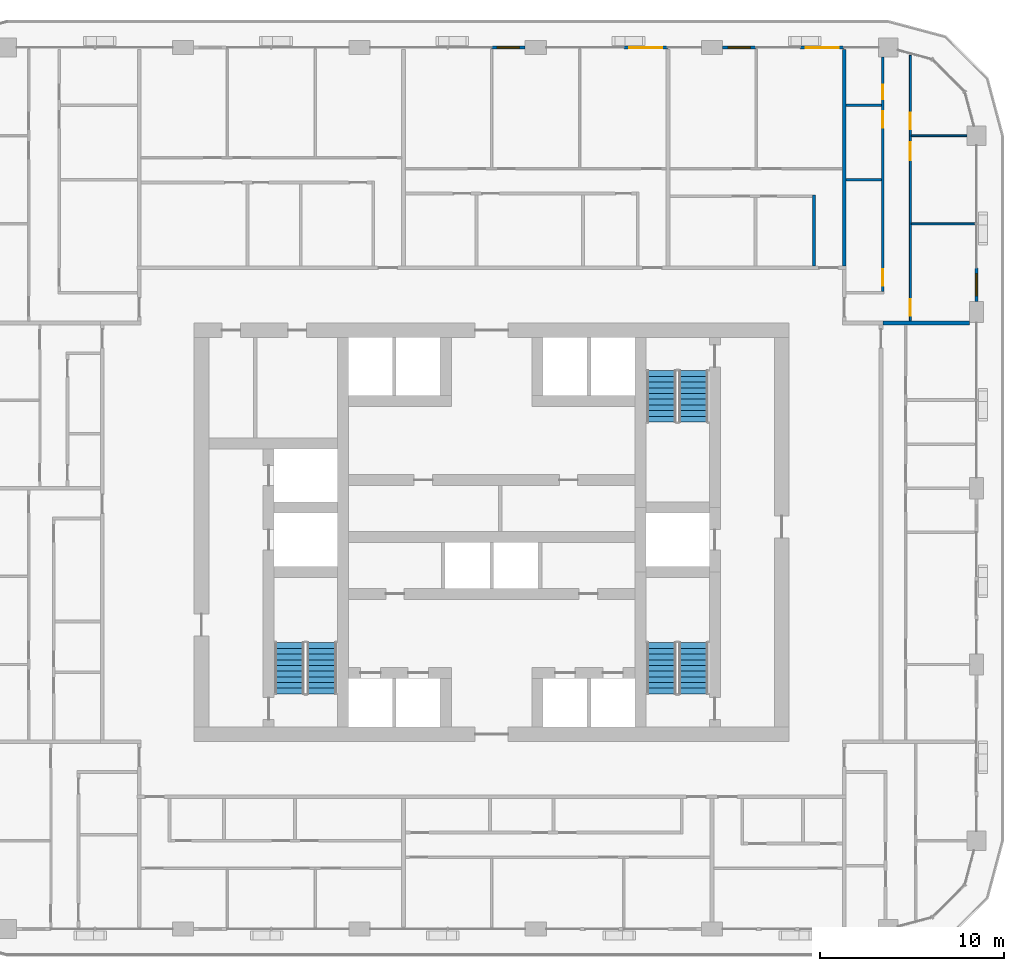
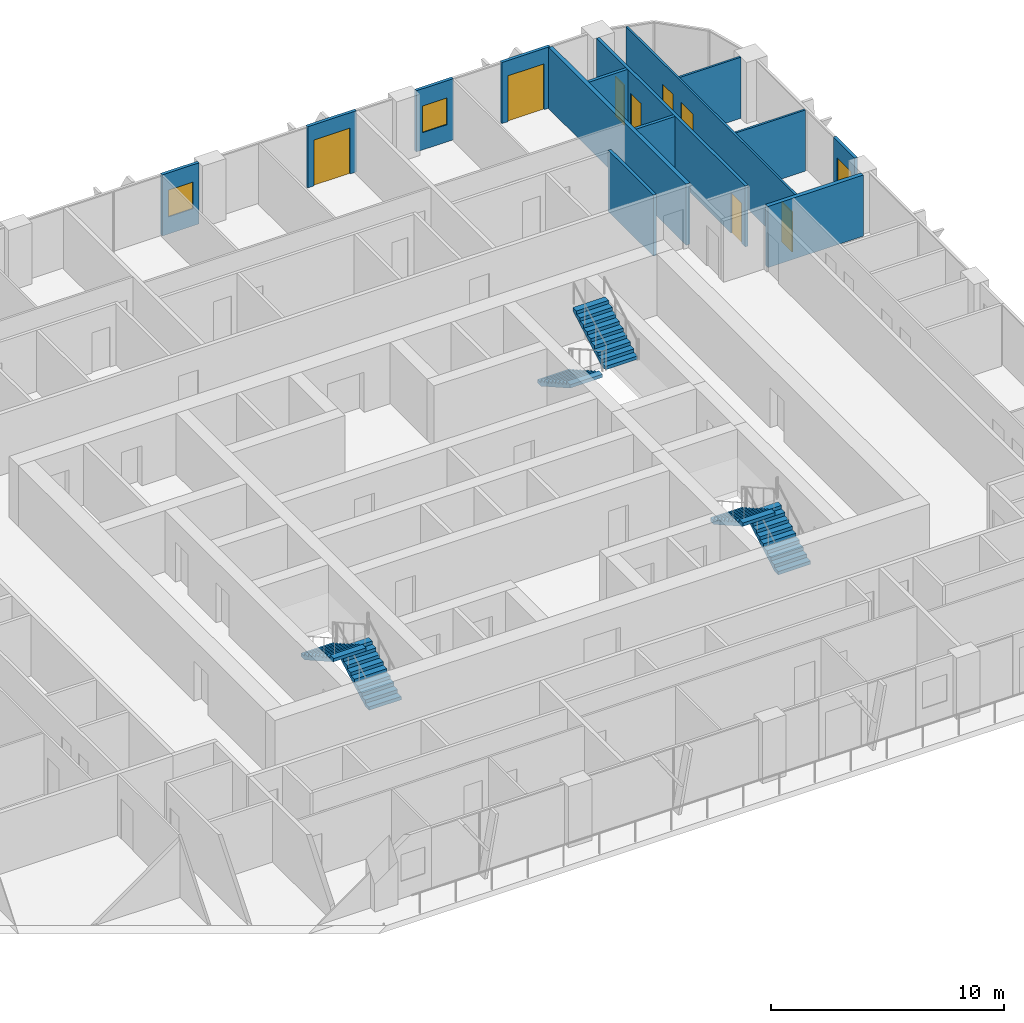
# One storey, part 15 of 22: 14 walls, 8 doors, 6 stair flights, 3 windows, 11 openings, 3 elements without a shape of their own.
"""IFC4 building model written with IfcOpenShell, lengths in metres."""

from ifc_helpers import new_model, si_unit, direction, frame, frame_2d, origin, place, context, subcontext, project, spatial, polyline, rectangle, outline, extrude, material, layer, layer_set, type_object, element, fill, aggregate, save


model = new_model("IFC4")

# Units and contexts
model_context = context("Model", 3, precision=1e-05, world=origin(), true_north=direction((0.0, 1.0)))
body_context = subcontext(model_context, "Body", "Model", "MODEL_VIEW")
ifc_project = project(units=[si_unit("LENGTHUNIT", "METRE"), si_unit("AREAUNIT", "SQUARE_METRE"), si_unit("VOLUMEUNIT", "CUBIC_METRE"), si_unit("PLANEANGLEUNIT", "RADIAN"), si_unit("MASSUNIT", "GRAM", prefix="KILO")], contexts=[model_context])

# Site, building, storey
site_placement = place(None, origin())
site = spatial("IfcSite", under=ifc_project, at=site_placement, CompositionType="ELEMENT")
building_placement = place(site_placement, origin())
building = spatial("IfcBuilding", under=site, at=building_placement, Name="Madar Terraces", CompositionType="ELEMENT")
storey_placement = place(building_placement, frame((0.0, 0.0, 119.10009765625)))
storey = spatial("IfcBuildingStorey", under=building, at=storey_placement, Name="L30", CompositionType="ELEMENT", Elevation=119.10009765625)

# Wall, opening, window
ifc_material_1 = material(Name="Aluminium composite panel, black, over insulated backing", Category="aluminium")
ifc_layer_1 = layer(ifc_material_1, 0.14990234375)
ifc_layer_set_1 = layer_set([ifc_layer_1], Name="Facade bay panel 150")
wall_type_1 = type_object("IfcWallType", Name="Facade bay panel 150", PredefinedType="SOLIDWALL", material=ifc_layer_set_1)
wall_1_placement = place(storey_placement, frame((57.60009765625, 38.97509765625, 0.0), z_axis=(0.0, 0.0, 1.0), x_axis=(0.0, 1.0, 0.0)))
wall_1 = element("IfcWall", 1, at=wall_1_placement, inside=storey, type_object=wall_type_1, Name="Facade bay panel", PredefinedType="SOLIDWALL", context=body_context, shape_type="SweptSolid", body=[
    extrude(rectangle(XDim=1.824951171875, YDim=0.14990234375, at=frame_2d((0.91259765625, 0.0))), origin(), (0.0, 0.0, 1.0), 3.199951171875),
])
opening_1_placement = place(wall_1_placement, frame((0.3125, 0.0, 0.89990234375)))
opening_1 = element("IfcOpeningElement", 2, at=opening_1_placement, cuts=wall_1, Name="Opening W1", PredefinedType="OPENING", context=body_context, shape_type="SweptSolid", body=[
    extrude(rectangle(XDim=1.199951171875, YDim=1.39990234375, at=frame_2d((0.60009765625, 0.699951171875))), frame((0.0, 0.0849609375, 0.0), z_axis=(0.0, -1.0, 0.0), x_axis=(1.0, 0.0, 0.0)), (0.0, 0.0, 1.0), 0.169921875),
])
ifc_material_2 = material(Name="Glass, clear, with black aluminium frame", Category="aluminium")
window_type = type_object("IfcWindowType", Name="Vent window 1200 x 1400", PartitioningType="SINGLE_PANEL", PredefinedType="WINDOW", material=ifc_material_2)
window_1_placement = place(opening_1_placement, origin())
window_1 = element("IfcWindow", 3, at=window_1_placement, inside=storey, type_object=window_type, Name="Operable vent window", OverallHeight=1.39990234375, OverallWidth=1.199951171875, PartitioningType="SINGLE_PANEL", PredefinedType="WINDOW", context=body_context, shape_type="SweptSolid", body=[
    extrude(rectangle(XDim=1.199951171875, YDim=1.39990234375, at=frame_2d((0.60009765625, 0.699951171875))), frame((0.0, 0.030029296875, 0.0), z_axis=(0.0, -1.0, 0.0), x_axis=(1.0, 0.0, 0.0)), (0.0, 0.0, 1.0), 0.06005859375),
])
fill(opening_1, window_1)

# Wall, opening, door
wall_2_placement = place(storey_placement, frame((50.39990234375, 52.800048828125, 0.0), z_axis=(0.0, 0.0, 1.0), x_axis=(-1.0, 0.0, 0.0)))
wall_2 = element("IfcWall", 4, at=wall_2_placement, inside=storey, type_object=wall_type_1, Name="Facade bay panel", PredefinedType="SOLIDWALL", context=body_context, shape_type="SweptSolid", body=[
    extrude(rectangle(XDim=2.39990234375, YDim=0.14990234375, at=frame_2d((1.199951171875, 0.0))), origin(), (0.0, 0.0, 1.0), 3.199951171875),
])
opening_2_placement = place(wall_2_placement, frame((0.300048828125, 0.0, 0.0)))
opening_2 = element("IfcOpeningElement", 5, at=opening_2_placement, cuts=wall_2, Name="Opening ED1", PredefinedType="OPENING", context=body_context, shape_type="SweptSolid", body=[
    extrude(rectangle(XDim=1.800048828125, YDim=2.39990234375, at=frame_2d((0.89990234375, 1.199951171875))), frame((0.0, 0.0849609375, 0.0), z_axis=(0.0, -1.0, 0.0), x_axis=(1.0, 0.0, 0.0)), (0.0, 0.0, 1.0), 0.169921875),
])
ifc_material_3 = material(Name="Glass, clear, with black aluminium frame", Category="aluminium")
door_type_1 = type_object("IfcDoorType", Name="Balcony and terrace sliding door 1800 x 2400", OperationType="SLIDING_TO_LEFT", PredefinedType="DOOR", material=ifc_material_3)
door_1_placement = place(opening_2_placement, origin())
door_1 = element("IfcDoor", 6, at=door_1_placement, inside=storey, type_object=door_type_1, Name="Balcony door", OperationType="SLIDING_TO_LEFT", OverallHeight=2.39990234375, OverallWidth=1.800048828125, PredefinedType="DOOR", context=body_context, shape_type="SweptSolid", body=[
    extrude(rectangle(XDim=1.800048828125, YDim=2.39990234375, at=frame_2d((0.89990234375, 1.199951171875))), frame((0.0, 0.02490234375, 0.0), z_axis=(0.0, -1.0, 0.0), x_axis=(1.0, 0.0, 0.0)), (0.0, 0.0, 1.0), 0.050048828125),
])
fill(opening_2, door_1)

# Wall, opening, window
wall_3_placement = place(storey_placement, frame((45.60009765625, 52.800048828125, 0.0), z_axis=(0.0, 0.0, 1.0), x_axis=(-1.0, 0.0, 0.0)))
wall_3 = element("IfcWall", 7, at=wall_3_placement, inside=storey, type_object=wall_type_1, Name="Facade bay panel", PredefinedType="SOLIDWALL", context=body_context, shape_type="SweptSolid", body=[
    extrude(rectangle(XDim=1.8251953125, YDim=0.14990234375, at=frame_2d((0.91259765625, 0.0))), origin(), (0.0, 0.0, 1.0), 3.199951171875),
])
opening_3_placement = place(wall_3_placement, frame((0.3125, 0.0, 0.89990234375)))
opening_3 = element("IfcOpeningElement", 8, at=opening_3_placement, cuts=wall_3, Name="Opening W1", PredefinedType="OPENING", context=body_context, shape_type="SweptSolid", body=[
    extrude(rectangle(XDim=1.199951171875, YDim=1.39990234375, at=frame_2d((0.60009765625, 0.699951171875))), frame((0.0, 0.0849609375, 0.0), z_axis=(0.0, -1.0, 0.0), x_axis=(1.0, 0.0, 0.0)), (0.0, 0.0, 1.0), 0.169921875),
])
window_2_placement = place(opening_3_placement, origin())
window_2 = element("IfcWindow", 9, at=window_2_placement, inside=storey, type_object=window_type, Name="Operable vent window", OverallHeight=1.39990234375, OverallWidth=1.199951171875, PartitioningType="SINGLE_PANEL", PredefinedType="WINDOW", context=body_context, shape_type="SweptSolid", body=[
    extrude(rectangle(XDim=1.199951171875, YDim=1.39990234375, at=frame_2d((0.60009765625, 0.699951171875))), frame((0.0, 0.030029296875, 0.0), z_axis=(0.0, -1.0, 0.0), x_axis=(1.0, 0.0, 0.0)), (0.0, 0.0, 1.0), 0.06005859375),
])
fill(opening_3, window_2)

# Wall, opening, door
wall_4_placement = place(storey_placement, frame((40.800048828125, 52.800048828125, 0.0), z_axis=(0.0, 0.0, 1.0), x_axis=(-1.0, 0.0, 0.0)))
wall_4 = element("IfcWall", 10, at=wall_4_placement, inside=storey, type_object=wall_type_1, Name="Facade bay panel", PredefinedType="SOLIDWALL", context=body_context, shape_type="SweptSolid", body=[
    extrude(rectangle(XDim=2.400146484375, YDim=0.14990234375, at=frame_2d((1.2001953125, 0.0))), origin(), (0.0, 0.0, 1.0), 3.199951171875),
])
opening_4_placement = place(wall_4_placement, frame((0.300048828125, 0.0, 0.0)))
opening_4 = element("IfcOpeningElement", 11, at=opening_4_placement, cuts=wall_4, Name="Opening ED1", PredefinedType="OPENING", context=body_context, shape_type="SweptSolid", body=[
    extrude(rectangle(XDim=1.800048828125, YDim=2.39990234375, at=frame_2d((0.89990234375, 1.199951171875))), frame((0.0, 0.0849609375, 0.0), z_axis=(0.0, -1.0, 0.0), x_axis=(1.0, 0.0, 0.0)), (0.0, 0.0, 1.0), 0.169921875),
])
door_2_placement = place(opening_4_placement, origin())
door_2 = element("IfcDoor", 12, at=door_2_placement, inside=storey, type_object=door_type_1, Name="Balcony door", OperationType="SLIDING_TO_RIGHT", OverallHeight=2.39990234375, OverallWidth=1.800048828125, PredefinedType="DOOR", context=body_context, shape_type="SweptSolid", body=[
    extrude(rectangle(XDim=1.800048828125, YDim=2.39990234375, at=frame_2d((0.89990234375, 1.199951171875))), frame((0.0, 0.02490234375, 0.0), z_axis=(0.0, -1.0, 0.0), x_axis=(1.0, 0.0, 0.0)), (0.0, 0.0, 1.0), 0.050048828125),
])
fill(opening_4, door_2)

# Wall, opening, window
wall_5_placement = place(storey_placement, frame((33.02490234375, 52.800048828125, 0.0), z_axis=(0.0, 0.0, 1.0), x_axis=(-1.0, 0.0, 0.0)))
wall_5 = element("IfcWall", 13, at=wall_5_placement, inside=storey, type_object=wall_type_1, Name="Facade bay panel", PredefinedType="SOLIDWALL", context=body_context, shape_type="SweptSolid", body=[
    extrude(rectangle(XDim=1.824951171875, YDim=0.14990234375, at=frame_2d((0.91259765625, 0.0))), origin(), (0.0, 0.0, 1.0), 3.199951171875),
])
opening_5_placement = place(wall_5_placement, frame((0.3125, 0.0, 0.89990234375)))
opening_5 = element("IfcOpeningElement", 14, at=opening_5_placement, cuts=wall_5, Name="Opening W1", PredefinedType="OPENING", context=body_context, shape_type="SweptSolid", body=[
    extrude(rectangle(XDim=1.199951171875, YDim=1.39990234375, at=frame_2d((0.60009765625, 0.699951171875))), frame((0.0, 0.0849609375, 0.0), z_axis=(0.0, -1.0, 0.0), x_axis=(1.0, 0.0, 0.0)), (0.0, 0.0, 1.0), 0.169921875),
])
window_3_placement = place(opening_5_placement, origin())
window_3 = element("IfcWindow", 15, at=window_3_placement, inside=storey, type_object=window_type, Name="Operable vent window", OverallHeight=1.39990234375, OverallWidth=1.199951171875, PartitioningType="SINGLE_PANEL", PredefinedType="WINDOW", context=body_context, shape_type="SweptSolid", body=[
    extrude(rectangle(XDim=1.199951171875, YDim=1.39990234375, at=frame_2d((0.60009765625, 0.699951171875))), frame((0.0, 0.030029296875, 0.0), z_axis=(0.0, -1.0, 0.0), x_axis=(1.0, 0.0, 0.0)), (0.0, 0.0, 1.0), 0.06005859375),
])
fill(opening_5, window_3)

# Walls
ifc_material_4 = material(Name="Gypsum board on steel studs", Category="steel")
ifc_layer_2 = layer(ifc_material_4, 0.10009765625)
ifc_layer_set_2 = layer_set([ifc_layer_2], Name="Flat partition 100")
wall_type_2 = type_object("IfcWallType", Name="Flat partition 100", PredefinedType="PARTITIONING", material=ifc_layer_set_2)
wall_6_placement = place(storey_placement, frame((54.050048828125, 43.199951171875, 0.0), z_axis=(0.0, 0.0, 1.0), x_axis=(1.0, 0.0, 0.0)))
element("IfcWall", 16, at=wall_6_placement, inside=storey, type_object=wall_type_2, Name="Flat partition 100", PredefinedType="PARTITIONING", context=body_context, shape_type="SweptSolid", body=[
    extrude(rectangle(XDim=3.449951171875, YDim=0.10009765625, at=frame_2d((1.72509765625, 0.0))), origin(), (0.0, 0.0, 1.0), 3.199951171875),
])
wall_7_placement = place(storey_placement, frame((54.050048828125, 48.0, 0.0), z_axis=(0.0, 0.0, 1.0), x_axis=(1.0, 0.0, 0.0)))
element("IfcWall", 17, at=wall_7_placement, inside=storey, type_object=wall_type_2, Name="Flat partition 100", PredefinedType="PARTITIONING", context=body_context, shape_type="SweptSolid", body=[
    extrude(rectangle(XDim=3.02490234375, YDim=0.10009765625, at=frame_2d((1.512451171875, 0.0))), origin(), (0.0, 0.0, 1.0), 3.199951171875),
])

# Wall, openings, doors
wall_8_placement = place(storey_placement, frame((54.0, 52.37841796875, 0.0), z_axis=(0.0, 0.0, 1.0), x_axis=(0.0, -1.0, 0.0)))
wall_8 = element("IfcWall", 18, at=wall_8_placement, inside=storey, type_object=wall_type_2, Name="Flat partition 100", PredefinedType="PARTITIONING", context=body_context, shape_type="SweptSolid", body=[
    extrude(rectangle(XDim=14.478515625, YDim=0.10009765625, at=frame_2d((7.2392578125, 0.0))), origin(), (0.0, 0.0, 1.0), 3.199951171875),
])
opening_6_placement = place(wall_8_placement, frame((13.278564453125, 0.0, 0.0)))
opening_6 = element("IfcOpeningElement", 19, at=opening_6_placement, cuts=wall_8, Name="Opening D2", PredefinedType="OPENING", context=body_context, shape_type="SweptSolid", body=[
    extrude(rectangle(XDim=0.89990234375, YDim=2.10009765625, at=frame_2d((0.449951171875, 1.050048828125))), frame((0.0, 0.06005859375, 0.0), z_axis=(0.0, -1.0, 0.0), x_axis=(1.0, 0.0, 0.0)), (0.0, 0.0, 1.0), 0.1201171875),
])
opening_7_placement = place(wall_8_placement, frame((4.728515625, 0.0, 0.0)))
opening_7 = element("IfcOpeningElement", 20, at=opening_7_placement, cuts=wall_8, Name="Opening D3", PredefinedType="OPENING", context=body_context, shape_type="SweptSolid", body=[
    extrude(rectangle(XDim=1.0, YDim=2.10009765625, at=frame_2d((0.5, 1.050048828125))), frame((0.0, 0.06005859375, 0.0), z_axis=(0.0, -1.0, 0.0), x_axis=(1.0, 0.0, 0.0)), (0.0, 0.0, 1.0), 0.1201171875),
])
opening_8_placement = place(wall_8_placement, frame((3.12841796875, 0.0, 0.0)))
opening_8 = element("IfcOpeningElement", 21, at=opening_8_placement, cuts=wall_8, Name="Opening D2", PredefinedType="OPENING", context=body_context, shape_type="SweptSolid", body=[
    extrude(rectangle(XDim=0.89990234375, YDim=2.10009765625, at=frame_2d((0.449951171875, 1.050048828125))), frame((0.0, 0.06005859375, 0.0), z_axis=(0.0, -1.0, 0.0), x_axis=(1.0, 0.0, 0.0)), (0.0, 0.0, 1.0), 0.1201171875),
])
ifc_material_5 = material(Name="Timber door leaf", Category="wood")
door_type_2 = type_object("IfcDoorType", Name="Flat living room door 1000", OperationType="NOTDEFINED", PredefinedType="DOOR", material=ifc_material_5)
door_3_placement = place(opening_7_placement, origin())
door_3 = element("IfcDoor", 22, at=door_3_placement, inside=storey, type_object=door_type_2, Name="Flat living room door 1000", OperationType="SINGLE_SWING_LEFT", OverallHeight=2.10009765625, OverallWidth=1.0, PredefinedType="DOOR", context=body_context, shape_type="SweptSolid", body=[
    extrude(rectangle(XDim=1.0, YDim=2.10009765625, at=frame_2d((0.5, 1.050048828125))), frame((0.0, 0.02490234375, 0.0), z_axis=(0.0, -1.0, 0.0), x_axis=(1.0, 0.0, 0.0)), (0.0, 0.0, 1.0), 0.050048828125),
])
fill(opening_7, door_3)
ifc_material_6 = material(Name="Timber door leaf", Category="wood")
door_type_3 = type_object("IfcDoorType", Name="Flat room door 900", OperationType="NOTDEFINED", PredefinedType="DOOR", material=ifc_material_6)
door_4_placement = place(opening_6_placement, origin())
door_4 = element("IfcDoor", 23, at=door_4_placement, inside=storey, type_object=door_type_3, Name="Flat room door 900", OperationType="SINGLE_SWING_RIGHT", OverallHeight=2.10009765625, OverallWidth=0.89990234375, PredefinedType="DOOR", context=body_context, shape_type="SweptSolid", body=[
    extrude(rectangle(XDim=0.89990234375, YDim=2.10009765625, at=frame_2d((0.449951171875, 1.050048828125))), frame((0.0, 0.02490234375, 0.0), z_axis=(0.0, -1.0, 0.0), x_axis=(1.0, 0.0, 0.0)), (0.0, 0.0, 1.0), 0.050048828125),
])
fill(opening_6, door_4)
door_5_placement = place(opening_8_placement, origin())
door_5 = element("IfcDoor", 24, at=door_5_placement, inside=storey, type_object=door_type_3, Name="Flat room door 900", OperationType="SINGLE_SWING_RIGHT", OverallHeight=2.10009765625, OverallWidth=0.89990234375, PredefinedType="DOOR", context=body_context, shape_type="SweptSolid", body=[
    extrude(rectangle(XDim=0.89990234375, YDim=2.10009765625, at=frame_2d((0.449951171875, 1.050048828125))), frame((0.0, 0.02490234375, 0.0), z_axis=(0.0, -1.0, 0.0), x_axis=(1.0, 0.0, 0.0)), (0.0, 0.0, 1.0), 0.050048828125),
])
fill(opening_8, door_5)

# Walls
ifc_material_7 = material(Name="Lightweight blockwork", Category="masonry")
ifc_layer_3 = layer(ifc_material_7, 0.199951171875)
ifc_layer_set_3 = layer_set([ifc_layer_3], Name="Flat party and entrance wall 200")
wall_type_3 = type_object("IfcWallType", Name="Flat party and entrance wall 200", PredefinedType="PARTITIONING", material=ifc_layer_set_3)
wall_9_placement = place(storey_placement, frame((52.5, 37.800048828125, 0.0), z_axis=(0.0, 0.0, 1.0), x_axis=(1.0, 0.0, 0.0)))
element("IfcWall", 25, at=wall_9_placement, inside=storey, type_object=wall_type_3, Name="Flat party and entrance wall 200", PredefinedType="PARTITIONING", context=body_context, shape_type="SweptSolid", body=[
    extrude(rectangle(XDim=4.72509765625, YDim=0.199951171875, at=frame_2d((2.362548828125, 0.0))), origin(), (0.0, 0.0, 1.0), 3.199951171875),
])
wall_10_placement = place(storey_placement, frame((50.39990234375, 40.89990234375, 0.0), z_axis=(0.0, 0.0, 1.0), x_axis=(0.0, 1.0, 0.0)))
element("IfcWall", 26, at=wall_10_placement, inside=storey, type_object=wall_type_3, Name="Flat party and entrance wall 200", PredefinedType="PARTITIONING", context=body_context, shape_type="SweptSolid", body=[
    extrude(rectangle(XDim=11.800048828125, YDim=0.199951171875, at=frame_2d((5.89990234375, 0.0))), origin(), (0.0, 0.0, 1.0), 3.199951171875),
])
ifc_material_8 = material(Name="Lightweight blockwork", Category="masonry")
ifc_layer_4 = layer(ifc_material_8, 0.14990234375)
ifc_layer_set_4 = layer_set([ifc_layer_4], Name="Flat wet-room partition 150")
wall_type_4 = type_object("IfcWallType", Name="Flat wet-room partition 150", PredefinedType="PARTITIONING", material=ifc_layer_set_4)
for number, where, z_axis, x_axis, name in (
    (27, (50.5, 45.605712890625, 0.0), (0.0, 0.0, 1.0), (1.0, 0.0, 0.0), "Flat wet-room partition 150"),
    (28, (50.5, 49.65966796875, 0.0), (0.0, 0.0, 1.0), (1.0, 0.0, 0.0), "Flat wet-room partition 150"),
):
    element("IfcWall", number, at=place(storey_placement, frame(where, z_axis=z_axis, x_axis=x_axis)), inside=storey, type_object=wall_type_4, Name=name, PredefinedType="PARTITIONING", context=body_context, shape_type="SweptSolid", body=[
        extrude(rectangle(XDim=1.925048828125, YDim=0.14990234375, at=frame_2d((0.96240234375, 0.0))), origin(), (0.0, 0.0, 1.0), 3.199951171875),
    ])

# Wall, openings, doors
wall_11_placement = place(storey_placement, frame((52.5, 39.52490234375, 0.0), z_axis=(0.0, 0.0, 1.0), x_axis=(0.0, 1.0, 0.0)))
wall_11 = element("IfcWall", 29, at=wall_11_placement, inside=storey, type_object=wall_type_4, Name="Flat wet-room partition 150", PredefinedType="PARTITIONING", context=body_context, shape_type="SweptSolid", body=[
    extrude(rectangle(XDim=12.75, YDim=0.14990234375, at=frame_2d((6.375, 0.0))), origin(), (0.0, 0.0, 1.0), 3.199951171875),
])
opening_9_placement = place(wall_11_placement, frame((0.300048828125, 0.0, 0.0)))
opening_9 = element("IfcOpeningElement", 30, at=opening_9_placement, cuts=wall_11, Name="Opening D2", PredefinedType="OPENING", context=body_context, shape_type="SweptSolid", body=[
    extrude(rectangle(XDim=0.89990234375, YDim=2.10009765625, at=frame_2d((0.449951171875, 1.050048828125))), frame((0.0, 0.0849609375, 0.0), z_axis=(0.0, -1.0, 0.0), x_axis=(1.0, 0.0, 0.0)), (0.0, 0.0, 1.0), 0.169921875),
])
opening_10_placement = place(wall_11_placement, frame((8.90966796875, 0.0, 0.0)))
opening_10 = element("IfcOpeningElement", 31, at=opening_10_placement, cuts=wall_11, Name="Opening D5", PredefinedType="OPENING", context=body_context, shape_type="SweptSolid", body=[
    extrude(rectangle(XDim=0.89990234375, YDim=2.10009765625, at=frame_2d((0.449951171875, 1.050048828125))), frame((0.0, 0.0849609375, 0.0), z_axis=(0.0, -1.0, 0.0), x_axis=(1.0, 0.0, 0.0)), (0.0, 0.0, 1.0), 0.169921875),
])
opening_11_placement = place(wall_11_placement, frame((10.459716796875, 0.0, 0.0)))
opening_11 = element("IfcOpeningElement", 32, at=opening_11_placement, cuts=wall_11, Name="Opening D4", PredefinedType="OPENING", context=body_context, shape_type="SweptSolid", body=[
    extrude(rectangle(XDim=0.800048828125, YDim=2.10009765625, at=frame_2d((0.39990234375, 1.050048828125))), frame((0.0, 0.0849609375, 0.0), z_axis=(0.0, -1.0, 0.0), x_axis=(1.0, 0.0, 0.0)), (0.0, 0.0, 1.0), 0.169921875),
])
ifc_material_9 = material(Name="Timber door leaf", Category="wood")
door_type_4 = type_object("IfcDoorType", Name="Flat accessible bathroom door 900", OperationType="NOTDEFINED", PredefinedType="DOOR", material=ifc_material_9)
door_6_placement = place(opening_10_placement, origin())
door_6 = element("IfcDoor", 33, at=door_6_placement, inside=storey, type_object=door_type_4, Name="Flat accessible bathroom door 900", OperationType="SINGLE_SWING_RIGHT", OverallHeight=2.10009765625, OverallWidth=0.89990234375, PredefinedType="DOOR", context=body_context, shape_type="SweptSolid", body=[
    extrude(rectangle(XDim=0.89990234375, YDim=2.10009765625, at=frame_2d((0.449951171875, 1.050048828125))), frame((0.0, 0.02490234375, 0.0), z_axis=(0.0, -1.0, 0.0), x_axis=(1.0, 0.0, 0.0)), (0.0, 0.0, 1.0), 0.050048828125),
])
fill(opening_10, door_6)
ifc_material_10 = material(Name="Timber door leaf", Category="wood")
door_type_5 = type_object("IfcDoorType", Name="Flat bathroom door 800", OperationType="NOTDEFINED", PredefinedType="DOOR", material=ifc_material_10)
door_7_placement = place(opening_11_placement, origin())
door_7 = element("IfcDoor", 34, at=door_7_placement, inside=storey, type_object=door_type_5, Name="Flat bathroom door 800", OperationType="SINGLE_SWING_LEFT", OverallHeight=2.10009765625, OverallWidth=0.800048828125, PredefinedType="DOOR", context=body_context, shape_type="SweptSolid", body=[
    extrude(rectangle(XDim=0.800048828125, YDim=2.10009765625, at=frame_2d((0.39990234375, 1.050048828125))), frame((0.0, 0.02490234375, 0.0), z_axis=(0.0, -1.0, 0.0), x_axis=(1.0, 0.0, 0.0)), (0.0, 0.0, 1.0), 0.050048828125),
])
fill(opening_11, door_7)
door_8_placement = place(opening_9_placement, origin())
door_8 = element("IfcDoor", 35, at=door_8_placement, inside=storey, type_object=door_type_3, Name="Flat room door 900", OperationType="SINGLE_SWING_LEFT", OverallHeight=2.10009765625, OverallWidth=0.89990234375, PredefinedType="DOOR", context=body_context, shape_type="SweptSolid", body=[
    extrude(rectangle(XDim=0.89990234375, YDim=2.10009765625, at=frame_2d((0.449951171875, 1.050048828125))), frame((0.0, 0.02490234375, 0.0), z_axis=(0.0, -1.0, 0.0), x_axis=(1.0, 0.0, 0.0)), (0.0, 0.0, 1.0), 0.050048828125),
])
fill(opening_9, door_8)

# Wall
wall_12_placement = place(storey_placement, frame((48.75, 40.89990234375, 0.0), z_axis=(0.0, 0.0, 1.0), x_axis=(0.0, 1.0, 0.0)))
element("IfcWall", 36, at=wall_12_placement, inside=storey, type_object=wall_type_4, Name="Flat wet-room partition 150", PredefinedType="PARTITIONING", context=body_context, shape_type="SweptSolid", body=[
    extrude(rectangle(XDim=3.875, YDim=0.14990234375, at=frame_2d((1.9375, 0.0))), origin(), (0.0, 0.0, 1.0), 3.199951171875),
])

# Stair, stair flights
ifc_material_11 = material(Name="Concrete C50/60", Category="concrete")
stair_type_1 = type_object("IfcStairType", Name="Stair ST1 protected exit", PredefinedType="HALF_TURN_STAIR", material=ifc_material_11)
stair_1_placement = place(storey_placement, origin())
stair_1 = element("IfcStair", 37, at=stair_1_placement, inside=storey, type_object=stair_type_1, Name="L30 Protected Exit Stair ST1", PredefinedType="HALF_TURN_STAIR")
ifc_material_12 = material(Name="Concrete C50/60", Category="concrete")
stair_flight_type_1 = type_object("IfcStairFlightType", Name="Stair flight ST1-F4, 1600 wide, 10 risers", PredefinedType="STRAIGHT", material=ifc_material_12)
stair_flight_1_placement = place(storey_placement, frame((21.949951171875, 17.60009765625, 0.0), z_axis=(0.0, 0.0, 1.0), x_axis=(0.0, 1.0, 0.0)))
stair_flight_1 = element("IfcStairFlight", 38, at=stair_flight_1_placement, type_object=stair_flight_type_1, Name="ST1 flight 1", NumberOfRisers=10, NumberOfTreads=9, PredefinedType="STRAIGHT", RiserHeight=0.175, TreadLength=0.31, context=body_context, shape_type="SweptSolid", body=[
    extrude(outline(polyline([(0.0, 0.0), (0.0, 0.175048828125), (0.31005859375, 0.175048828125), (0.31005859375, 0.35009765625), (0.6201171875, 0.35009765625), (0.6201171875, 0.52490234375), (0.929931640625, 0.52490234375), (0.929931640625, 0.699951171875), (1.239990234375, 0.699951171875), (1.239990234375, 0.875), (1.550048828125, 0.875), (1.550048828125, 1.050048828125), (1.860107421875, 1.050048828125), (1.860107421875, 1.22509765625), (2.169921875, 1.22509765625), (2.169921875, 1.39990234375), (2.47998046875, 1.39990234375), (2.47998046875, 1.574951171875), (2.7900390625, 1.574951171875), (2.7900390625, 1.75), (2.7900390625, 1.40283203125), (0.304931640625, 0.0), (0.0, 0.0)])), frame((0.0, 0.800048828125, 0.0), z_axis=(0.0, -1.0, 0.0), x_axis=(1.0, 0.0, 0.0)), (0.0, 0.0, 1.0), 1.60009765625),
])
stair_flight_2_placement = place(storey_placement, frame((20.199951171875, 20.389892578125, 1.75), z_axis=(0.0, 0.0, 1.0), x_axis=(0.0, -1.0, 0.0)))
stair_flight_2 = element("IfcStairFlight", 39, at=stair_flight_2_placement, type_object=stair_flight_type_1, Name="ST1 flight 2", NumberOfRisers=10, NumberOfTreads=9, PredefinedType="STRAIGHT", RiserHeight=0.175, TreadLength=0.31, context=body_context, shape_type="SweptSolid", body=[
    extrude(outline(polyline([(0.0, 0.0), (0.0, 0.175048828125), (0.31005859375, 0.175048828125), (0.31005859375, 0.35009765625), (0.6201171875, 0.35009765625), (0.6201171875, 0.52490234375), (0.929931640625, 0.52490234375), (0.929931640625, 0.699951171875), (1.239990234375, 0.699951171875), (1.239990234375, 0.875), (1.550048828125, 0.875), (1.550048828125, 1.050048828125), (1.860107421875, 1.050048828125), (1.860107421875, 1.22509765625), (2.169921875, 1.22509765625), (2.169921875, 1.39990234375), (2.47998046875, 1.39990234375), (2.47998046875, 1.574951171875), (2.7900390625, 1.574951171875), (2.7900390625, 1.75), (2.7900390625, 1.40283203125), (0.304931640625, 0.0), (0.0, 0.0)])), frame((0.0, 0.800048828125, 0.0), z_axis=(0.0, -1.0, 0.0), x_axis=(1.0, 0.0, 0.0)), (0.0, 0.0, 1.0), 1.60009765625),
])
aggregate(stair_1, [stair_flight_1, stair_flight_2])

ifc_material_13 = material(Name="Concrete C50/60", Category="concrete")
stair_type_2 = type_object("IfcStairType", Name="Stair ST2 protected exit", PredefinedType="HALF_TURN_STAIR", material=ifc_material_13)
stair_2_placement = place(storey_placement, origin())
stair_2 = element("IfcStair", 40, at=stair_2_placement, inside=storey, type_object=stair_type_2, Name="L30 Protected Exit Stair ST2", PredefinedType="HALF_TURN_STAIR")
ifc_material_14 = material(Name="Concrete C50/60", Category="concrete")
stair_flight_type_2 = type_object("IfcStairFlightType", Name="Stair flight ST2-F4, 1600 wide, 10 risers", PredefinedType="STRAIGHT", material=ifc_material_14)
stair_flight_3_placement = place(storey_placement, frame((40.449951171875, 35.199951171875, 0.0), z_axis=(0.0, 0.0, 1.0), x_axis=(0.0, -1.0, 0.0)))
stair_flight_3 = element("IfcStairFlight", 41, at=stair_flight_3_placement, type_object=stair_flight_type_2, Name="ST2 flight 1", NumberOfRisers=10, NumberOfTreads=9, PredefinedType="STRAIGHT", RiserHeight=0.175, TreadLength=0.31, context=body_context, shape_type="SweptSolid", body=[
    extrude(outline(polyline([(0.0, 0.0), (0.0, 0.175048828125), (0.31005859375, 0.175048828125), (0.31005859375, 0.35009765625), (0.6201171875, 0.35009765625), (0.6201171875, 0.52490234375), (0.929931640625, 0.52490234375), (0.929931640625, 0.699951171875), (1.239990234375, 0.699951171875), (1.239990234375, 0.875), (1.550048828125, 0.875), (1.550048828125, 1.050048828125), (1.860107421875, 1.050048828125), (1.860107421875, 1.22509765625), (2.169921875, 1.22509765625), (2.169921875, 1.39990234375), (2.47998046875, 1.39990234375), (2.47998046875, 1.574951171875), (2.7900390625, 1.574951171875), (2.7900390625, 1.75), (2.7900390625, 1.40283203125), (0.304931640625, 0.0), (0.0, 0.0)])), frame((0.0, 0.800048828125, 0.0), z_axis=(0.0, -1.0, 0.0), x_axis=(1.0, 0.0, 0.0)), (0.0, 0.0, 1.0), 1.60009765625),
])
stair_flight_4_placement = place(storey_placement, frame((42.199951171875, 32.409912109375, 1.75), z_axis=(0.0, 0.0, 1.0), x_axis=(0.0, 1.0, 0.0)))
stair_flight_4 = element("IfcStairFlight", 42, at=stair_flight_4_placement, type_object=stair_flight_type_2, Name="ST2 flight 2", NumberOfRisers=10, NumberOfTreads=9, PredefinedType="STRAIGHT", RiserHeight=0.175, TreadLength=0.31, context=body_context, shape_type="SweptSolid", body=[
    extrude(outline(polyline([(0.0, 0.0), (0.0, 0.175048828125), (0.31005859375, 0.175048828125), (0.31005859375, 0.35009765625), (0.6201171875, 0.35009765625), (0.6201171875, 0.52490234375), (0.929931640625, 0.52490234375), (0.929931640625, 0.699951171875), (1.239990234375, 0.699951171875), (1.239990234375, 0.875), (1.550048828125, 0.875), (1.550048828125, 1.050048828125), (1.860107421875, 1.050048828125), (1.860107421875, 1.22509765625), (2.169921875, 1.22509765625), (2.169921875, 1.39990234375), (2.47998046875, 1.39990234375), (2.47998046875, 1.574951171875), (2.7900390625, 1.574951171875), (2.7900390625, 1.75), (2.7900390625, 1.40283203125), (0.304931640625, 0.0), (0.0, 0.0)])), frame((0.0, 0.800048828125, 0.0), z_axis=(0.0, -1.0, 0.0), x_axis=(1.0, 0.0, 0.0)), (0.0, 0.0, 1.0), 1.60009765625),
])
aggregate(stair_2, [stair_flight_3, stair_flight_4])

ifc_material_15 = material(Name="Concrete C50/60", Category="concrete")
stair_type_3 = type_object("IfcStairType", Name="Stair ST3 protected exit", PredefinedType="HALF_TURN_STAIR", material=ifc_material_15)
stair_3_placement = place(storey_placement, origin())
stair_3 = element("IfcStair", 43, at=stair_3_placement, inside=storey, type_object=stair_type_3, Name="L30 Protected Exit Stair ST3", PredefinedType="HALF_TURN_STAIR")
ifc_material_16 = material(Name="Concrete C50/60", Category="concrete")
stair_flight_type_3 = type_object("IfcStairFlightType", Name="Stair flight ST3-F4, 1600 wide, 10 risers", PredefinedType="STRAIGHT", material=ifc_material_16)
stair_flight_5_placement = place(storey_placement, frame((42.199951171875, 17.60009765625, 0.0), z_axis=(0.0, 0.0, 1.0), x_axis=(0.0, 1.0, 0.0)))
stair_flight_5 = element("IfcStairFlight", 44, at=stair_flight_5_placement, type_object=stair_flight_type_3, Name="ST3 flight 1", NumberOfRisers=10, NumberOfTreads=9, PredefinedType="STRAIGHT", RiserHeight=0.175, TreadLength=0.31, context=body_context, shape_type="SweptSolid", body=[
    extrude(outline(polyline([(0.0, 0.0), (0.0, 0.175048828125), (0.31005859375, 0.175048828125), (0.31005859375, 0.35009765625), (0.6201171875, 0.35009765625), (0.6201171875, 0.52490234375), (0.929931640625, 0.52490234375), (0.929931640625, 0.699951171875), (1.239990234375, 0.699951171875), (1.239990234375, 0.875), (1.550048828125, 0.875), (1.550048828125, 1.050048828125), (1.860107421875, 1.050048828125), (1.860107421875, 1.22509765625), (2.169921875, 1.22509765625), (2.169921875, 1.39990234375), (2.47998046875, 1.39990234375), (2.47998046875, 1.574951171875), (2.7900390625, 1.574951171875), (2.7900390625, 1.75), (2.7900390625, 1.40283203125), (0.304931640625, 0.0), (0.0, 0.0)])), frame((0.0, 0.800048828125, 0.0), z_axis=(0.0, -1.0, 0.0), x_axis=(1.0, 0.0, 0.0)), (0.0, 0.0, 1.0), 1.60009765625),
])
stair_flight_6_placement = place(storey_placement, frame((40.449951171875, 20.389892578125, 1.75), z_axis=(0.0, 0.0, 1.0), x_axis=(0.0, -1.0, 0.0)))
stair_flight_6 = element("IfcStairFlight", 45, at=stair_flight_6_placement, type_object=stair_flight_type_3, Name="ST3 flight 2", NumberOfRisers=10, NumberOfTreads=9, PredefinedType="STRAIGHT", RiserHeight=0.175, TreadLength=0.31, context=body_context, shape_type="SweptSolid", body=[
    extrude(outline(polyline([(0.0, 0.0), (0.0, 0.175048828125), (0.31005859375, 0.175048828125), (0.31005859375, 0.35009765625), (0.6201171875, 0.35009765625), (0.6201171875, 0.52490234375), (0.929931640625, 0.52490234375), (0.929931640625, 0.699951171875), (1.239990234375, 0.699951171875), (1.239990234375, 0.875), (1.550048828125, 0.875), (1.550048828125, 1.050048828125), (1.860107421875, 1.050048828125), (1.860107421875, 1.22509765625), (2.169921875, 1.22509765625), (2.169921875, 1.39990234375), (2.47998046875, 1.39990234375), (2.47998046875, 1.574951171875), (2.7900390625, 1.574951171875), (2.7900390625, 1.75), (2.7900390625, 1.40283203125), (0.304931640625, 0.0), (0.0, 0.0)])), frame((0.0, 0.800048828125, 0.0), z_axis=(0.0, -1.0, 0.0), x_axis=(1.0, 0.0, 0.0)), (0.0, 0.0, 1.0), 1.60009765625),
])
aggregate(stair_3, [stair_flight_5, stair_flight_6])

save(model, "model.ifc")
